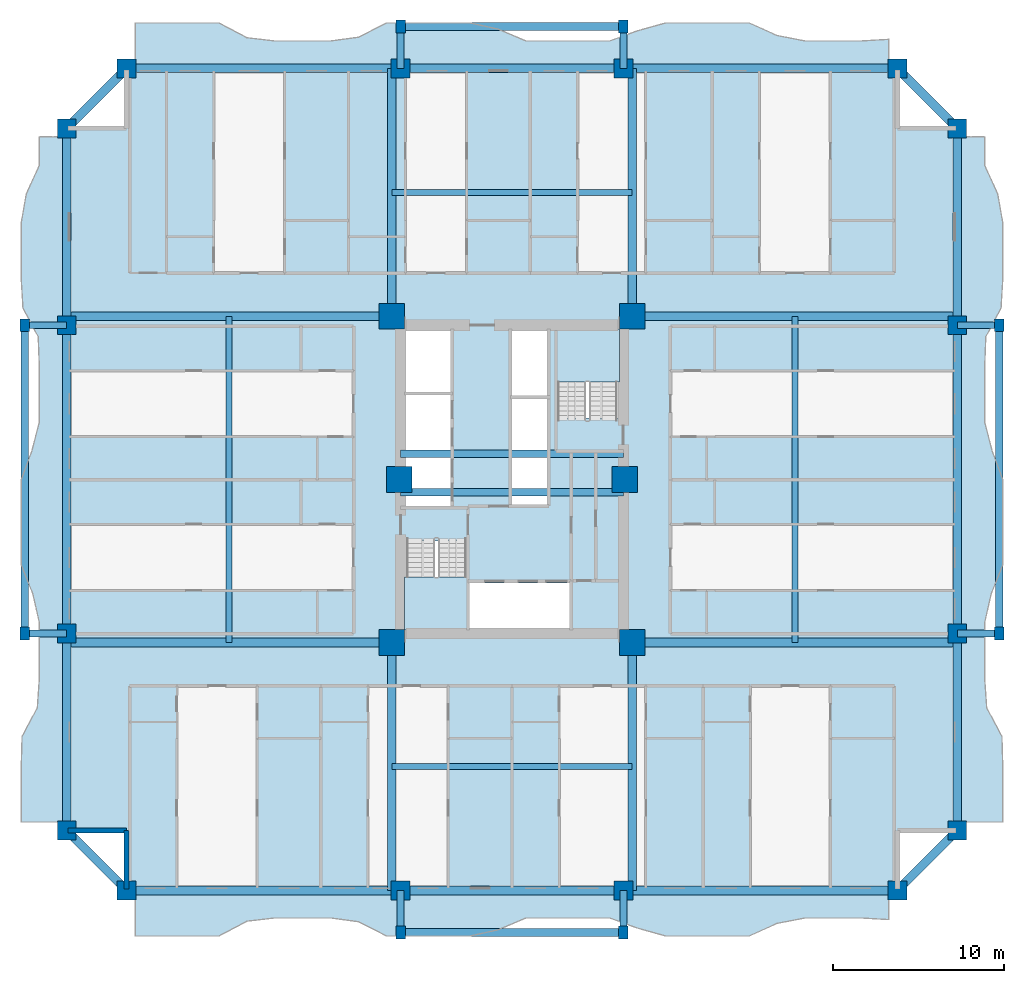
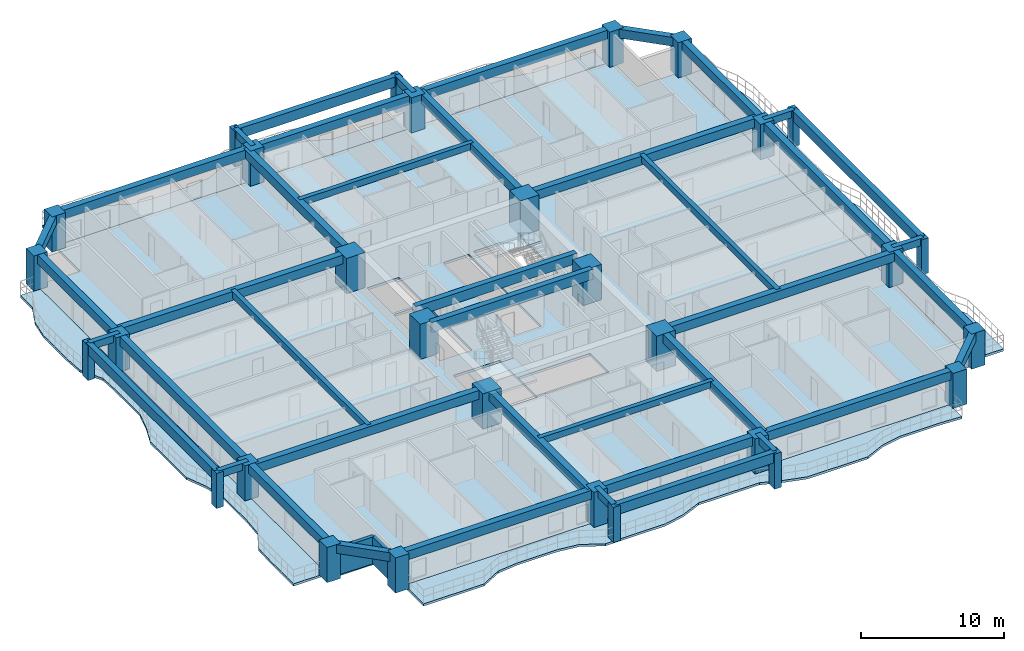
# One storey, part 1 of 15: 42 beams, 30 columns, 7 slabs, 2 walls, 2 elements without a shape of their own.
"""IFC4 building model written with IfcOpenShell, lengths in metres."""

from ifc_helpers import new_model, si_unit, direction, frame, frame_2d, origin, origin_2d, place, context, subcontext, project, spatial, polyline, rectangle, outline, extrude, source, transform, mapped, material, layer, layer_set, material_profile, profile_set, type_object, element, aggregate, save


model = new_model("IFC4")

# Units and contexts
model_context = context("Model", 3, precision=1e-05, world=origin(), true_north=direction((0.0, 1.0)))
body_context = subcontext(model_context, "Body", "Model", "MODEL_VIEW")
ifc_project = project(units=[si_unit("LENGTHUNIT", "METRE"), si_unit("AREAUNIT", "SQUARE_METRE"), si_unit("VOLUMEUNIT", "CUBIC_METRE"), si_unit("PLANEANGLEUNIT", "RADIAN"), si_unit("MASSUNIT", "GRAM", prefix="KILO")], contexts=[model_context])

# Site, building, storey
site_placement = place(None, origin())
site = spatial("IfcSite", under=ifc_project, at=site_placement, CompositionType="ELEMENT")
building_placement = place(site_placement, origin())
building = spatial("IfcBuilding", under=site, at=building_placement, Name="Saelheon Loggia Tower", CompositionType="ELEMENT")
storey_placement = place(building_placement, frame((0.0, 0.0, 67.39990234375)))
storey = spatial("IfcBuildingStorey", under=building, at=storey_placement, Name="L21", CompositionType="ELEMENT", Elevation=67.39990234375)

# Columns
ifc_material_1 = material(Name="Concrete C60/75", Category="concrete")
ifc_material_profile_1 = material_profile(ifc_material_1, rectangle(XDim=1.5, YDim=1.5, at=origin_2d()), Name="RC-1500x1500")
ifc_profile_set_1 = profile_set([ifc_material_profile_1], Name="Concrete C60/75")
column_type_1 = type_object("IfcColumnType", Name="Col_Core_RC1500", PredefinedType="COLUMN", material=ifc_profile_set_1)
shared_shape_1 = source(origin(), body_context, "Body", "SweptSolid", [
    extrude(rectangle(XDim=1.5, YDim=1.5, at=origin_2d()), origin(), (0.0, 0.0, 1.0), 3.0),
])
for number, where, z_axis, x_axis, name in (
    (1, (30.97998046875, 17.47998046875, 0.0), (0.0, 0.0, 1.0), (1.0, 0.0, 0.0), "L21 Core Column CR-SW"),
    (2, (45.02001953125, 17.47998046875, 0.0), (0.0, 0.0, 1.0), (1.0, 0.0, 0.0), "L21 Core Column CR-SE"),
    (3, (30.97998046875, 36.52001953125, 0.0), (0.0, 0.0, 1.0), (1.0, 0.0, 0.0), "L21 Core Column CR-NW"),
    (4, (45.02001953125, 36.52001953125, 0.0), (0.0, 0.0, 1.0), (1.0, 0.0, 0.0), "L21 Core Column CR-NE"),
    (5, (31.419921875, 27.0, 0.0), (0.0, 0.0, 1.0), (1.0, 0.0, 0.0), "L21 Core Column CR-MW"),
    (6, (44.580078125, 27.0, 0.0), (0.0, 0.0, 1.0), (1.0, 0.0, 0.0), "L21 Core Column CR-ME"),
):
    element("IfcColumn", number, at=place(storey_placement, frame(where, z_axis=z_axis, x_axis=x_axis)), inside=storey, type_object=column_type_1, Name=name, PredefinedType="COLUMN", context=body_context, shape_type="MappedRepresentation", body=[
        mapped(shared_shape_1, transform((0.0, 0.0, 0.0), scale=1.0)),
    ])
ifc_material_2 = material(Name="Concrete C50/60", Category="concrete")
ifc_material_profile_2 = material_profile(ifc_material_2, rectangle(XDim=1.10009765625, YDim=1.10009765625, at=origin_2d()), Name="RC-1100x1100")
ifc_profile_set_2 = profile_set([ifc_material_profile_2], Name="Concrete C50/60")
column_type_2 = type_object("IfcColumnType", Name="Col_PerimExt_RC1100", PredefinedType="COLUMN", material=ifc_profile_set_2)
shared_shape_2 = source(origin(), body_context, "Body", "SweptSolid", [
    extrude(rectangle(XDim=1.10009765625, YDim=1.10009765625, at=origin_2d()), origin(), (0.0, 0.0, 1.0), 3.0),
])
for number, where, z_axis, x_axis, name in (
    (7, (15.5, 3.0, 0.0), (0.0, 0.0, 1.0), (1.0, 0.0, 0.0), "L21 Perimeter Column TP-S1"),
    (8, (31.5, 3.0, 0.0), (0.0, 0.0, 1.0), (1.0, 0.0, 0.0), "L21 Perimeter Column TP-SA"),
    (9, (44.5, 3.0, 0.0), (0.0, 0.0, 1.0), (1.0, 0.0, 0.0), "L21 Perimeter Column TP-SB"),
    (10, (60.5, 3.0, 0.0), (0.0, 0.0, 1.0), (1.0, 0.0, 0.0), "L21 Perimeter Column TP-S2"),
    (11, (64.0, 6.5, 0.0), (0.0, 0.0, 1.0), (1.0, 0.0, 0.0), "L21 Perimeter Column TP-E1"),
    (12, (64.0, 18.0, 0.0), (0.0, 0.0, 1.0), (1.0, 0.0, 0.0), "L21 Perimeter Column TP-EA"),
    (13, (64.0, 36.0, 0.0), (0.0, 0.0, 1.0), (1.0, 0.0, 0.0), "L21 Perimeter Column TP-EB"),
    (14, (64.0, 47.5, 0.0), (0.0, 0.0, 1.0), (1.0, 0.0, 0.0), "L21 Perimeter Column TP-E2"),
    (15, (60.5, 51.0, 0.0), (0.0, 0.0, 1.0), (1.0, 0.0, 0.0), "L21 Perimeter Column TP-N2"),
    (16, (44.5, 51.0, 0.0), (0.0, 0.0, 1.0), (1.0, 0.0, 0.0), "L21 Perimeter Column TP-NB"),
    (17, (31.5, 51.0, 0.0), (0.0, 0.0, 1.0), (1.0, 0.0, 0.0), "L21 Perimeter Column TP-NA"),
    (18, (15.5, 51.0, 0.0), (0.0, 0.0, 1.0), (1.0, 0.0, 0.0), "L21 Perimeter Column TP-N1"),
    (19, (12.0, 47.5, 0.0), (0.0, 0.0, 1.0), (1.0, 0.0, 0.0), "L21 Perimeter Column TP-W2"),
    (20, (12.0, 36.0, 0.0), (0.0, 0.0, 1.0), (1.0, 0.0, 0.0), "L21 Perimeter Column TP-WB"),
    (21, (12.0, 18.0, 0.0), (0.0, 0.0, 1.0), (1.0, 0.0, 0.0), "L21 Perimeter Column TP-WA"),
    (22, (12.0, 6.5, 0.0), (0.0, 0.0, 1.0), (1.0, 0.0, 0.0), "L21 Perimeter Column TP-W1"),
):
    element("IfcColumn", number, at=place(storey_placement, frame(where, z_axis=z_axis, x_axis=x_axis)), inside=storey, type_object=column_type_2, Name=name, PredefinedType="COLUMN", context=body_context, shape_type="MappedRepresentation", body=[
        mapped(shared_shape_2, transform((0.0, 0.0, 0.0), scale=1.0)),
    ])
ifc_material_3 = material(Name="Precast Concrete C45/55", Category="concrete")
ifc_material_profile_3 = material_profile(ifc_material_3, rectangle(XDim=0.550048828125, YDim=0.75, at=origin_2d()), Name="RC-550x750")
ifc_profile_set_3 = profile_set([ifc_material_profile_3], Name="Precast Concrete C45/55")
column_type_3 = type_object("IfcColumnType", Name="Col_Loggia_Pilaster_750", PredefinedType="PILASTER", material=ifc_profile_set_3)
shared_shape_3 = source(origin(), body_context, "Body", "SweptSolid", [
    extrude(rectangle(XDim=0.550048828125, YDim=0.75, at=origin_2d()), origin(), (0.0, 0.0, 1.0), 3.0),
])
for number, where, z_axis, x_axis, name in (
    (23, (31.5, 0.550048828125, 0.0), (0.0, 0.0, 1.0), (1.0, 0.0, 0.0), "L21 Loggia Frame Pilaster LP-S1"),
    (24, (44.5, 0.550048828125, 0.0), (0.0, 0.0, 1.0), (1.0, 0.0, 0.0), "L21 Loggia Frame Pilaster LP-S2"),
    (25, (31.5, 53.449951171875, 0.0), (0.0, 0.0, 1.0), (1.0, 0.0, 0.0), "L21 Loggia Frame Pilaster LP-N1"),
    (26, (44.5, 53.449951171875, 0.0), (0.0, 0.0, 1.0), (1.0, 0.0, 0.0), "L21 Loggia Frame Pilaster LP-N2"),
    (27, (66.449951171875, 18.0, 0.0), (0.0, 0.0, 1.0), (1.0, 0.0, 0.0), "L21 Loggia Frame Pilaster LP-E1"),
    (28, (66.449951171875, 36.0, 0.0), (0.0, 0.0, 1.0), (1.0, 0.0, 0.0), "L21 Loggia Frame Pilaster LP-E2"),
    (29, (9.550048828125, 18.0, 0.0), (0.0, 0.0, 1.0), (1.0, 0.0, 0.0), "L21 Loggia Frame Pilaster LP-W1"),
    (30, (9.550048828125, 36.0, 0.0), (0.0, 0.0, 1.0), (1.0, 0.0, 0.0), "L21 Loggia Frame Pilaster LP-W2"),
):
    element("IfcColumn", number, at=place(storey_placement, frame(where, z_axis=z_axis, x_axis=x_axis)), inside=storey, type_object=column_type_3, Name=name, PredefinedType="PILASTER", context=body_context, shape_type="MappedRepresentation", body=[
        mapped(shared_shape_3, transform((0.0, 0.0, 0.0), scale=1.0)),
    ])

# Beams
ifc_material_profile_4 = material_profile(ifc_material_2, rectangle(XDim=0.449951171875, YDim=0.85009765625, at=origin_2d()), Name="RC-450x850")
ifc_profile_set_4 = profile_set([ifc_material_profile_4], Name="Concrete C50/60")
beam_type_1 = type_object("IfcBeamType", Name="Beam_CoreLintel_RC450x850", PredefinedType="LINTEL", material=ifc_profile_set_4)
shared_shape_4 = source(origin(), body_context, "Body", "SweptSolid", [
    extrude(rectangle(XDim=0.449951171875, YDim=0.85009765625, at=origin_2d()), origin(), (0.0, 0.0, 1.0), 13.0),
])
for number, where, z_axis, x_axis, name in (
    (31, (31.5, 26.25, 2.5751953125), (1.0, 0.0, 0.0), (0.0, 1.0, 0.0), "L21 Core Coupling Lintel 1"),
    (32, (31.5, 28.5, 2.5751953125), (1.0, 0.0, 0.0), (0.0, 1.0, 0.0), "L21 Core Coupling Lintel 2"),
):
    element("IfcBeam", number, at=place(storey_placement, frame(where, z_axis=z_axis, x_axis=x_axis)), inside=storey, type_object=beam_type_1, Name=name, PredefinedType="LINTEL", context=body_context, shape_type="MappedRepresentation", body=[
        mapped(shared_shape_4, transform((0.0, 0.0, 0.0), scale=1.0)),
    ])
ifc_material_profile_5 = material_profile(ifc_material_3, rectangle(XDim=0.449951171875, YDim=0.85009765625, at=origin_2d()), Name="RC-450x850")
ifc_profile_set_5 = profile_set([ifc_material_profile_5], Name="Precast Concrete C45/55")
beam_type_2 = type_object("IfcBeamType", Name="Beam_LoggiaSpandrel_RC450x850", PredefinedType="SPANDREL", material=ifc_profile_set_5)
for number, where, z_axis, x_axis, name in (
    (33, (31.5, 0.550048828125, 2.5751953125), (1.0, 0.0, 0.0), (0.0, 1.0, 0.0), "L21 Loggia Spandrel Beam S"),
    (34, (31.5, 53.449951171875, 2.5751953125), (1.0, 0.0, 0.0), (0.0, 1.0, 0.0), "L21 Loggia Spandrel Beam N"),
):
    element("IfcBeam", number, at=place(storey_placement, frame(where, z_axis=z_axis, x_axis=x_axis)), inside=storey, type_object=beam_type_2, Name=name, PredefinedType="SPANDREL", context=body_context, shape_type="MappedRepresentation", body=[
        mapped(shared_shape_4, transform((0.0, 0.0, 0.0), scale=1.0)),
    ])
ifc_material_4 = material(Name="Concrete C45/55", Category="concrete")
ifc_material_profile_6 = material_profile(ifc_material_4, rectangle(XDim=0.5, YDim=0.75, at=origin_2d()), Name="RC-500x750")
ifc_profile_set_6 = profile_set([ifc_material_profile_6], Name="Concrete C45/55")
beam_type_3 = type_object("IfcBeamType", Name="Beam_FloorGirder_RC500x750", PredefinedType="BEAM", material=ifc_profile_set_6)
shared_shape_5 = source(origin(), body_context, "Body", "SweptSolid", [
    extrude(rectangle(XDim=0.5, YDim=0.75, at=origin_2d()), origin(), (0.0, 0.0, 1.0), 14.47998046875),
])
for number, where, z_axis, x_axis, name in (
    (35, (30.97998046875, 17.47998046875, 2.625), (0.0, -1.0, 0.0), (1.0, 0.0, 0.0), "L21 Radial Floor Girder RAD-SW-S"),
    (36, (45.02001953125, 17.47998046875, 2.625), (0.0, -1.0, 0.0), (1.0, 0.0, 0.0), "L21 Radial Floor Girder RAD-SE-S"),
    (37, (30.97998046875, 36.52001953125, 2.625), (0.0, 1.0, 0.0), (-1.0, 0.0, 0.0), "L21 Radial Floor Girder RAD-NW-N"),
    (38, (45.02001953125, 36.52001953125, 2.625), (0.0, 1.0, 0.0), (-1.0, 0.0, 0.0), "L21 Radial Floor Girder RAD-NE-N"),
):
    element("IfcBeam", number, at=place(storey_placement, frame(where, z_axis=z_axis, x_axis=x_axis)), inside=storey, type_object=beam_type_3, Name=name, PredefinedType="BEAM", context=body_context, shape_type="MappedRepresentation", body=[
        mapped(shared_shape_5, transform((0.0, 0.0, 0.0), scale=1.0)),
    ])
ifc_material_profile_7 = material_profile(ifc_material_4, rectangle(XDim=0.5, YDim=0.75, at=origin_2d()), Name="RC-500x750")
ifc_profile_set_7 = profile_set([ifc_material_profile_7], Name="Concrete C45/55")
beam_type_4 = type_object("IfcBeamType", Name="Beam_PerimGirder_RC500x750", PredefinedType="BEAM", material=ifc_profile_set_7)
shared_shape_6 = source(origin(), body_context, "Body", "SweptSolid", [
    extrude(rectangle(XDim=0.5, YDim=0.75, at=origin_2d()), origin(), (0.0, 0.0, 1.0), 16.0),
])
for number, where, z_axis, x_axis, name in (
    (39, (15.5, 3.0, 2.625), (1.0, 0.0, 0.0), (0.0, 1.0, 0.0), "L21 Perimeter Frame Girder 01"),
    (40, (44.5, 3.0, 2.625), (1.0, 0.0, 0.0), (0.0, 1.0, 0.0), "L21 Perimeter Frame Girder 03"),
    (41, (60.5, 51.0, 2.625), (-1.0, 0.0, 0.0), (0.0, -1.0, 0.0), "L21 Perimeter Frame Girder 09"),
    (42, (31.5, 51.0, 2.625), (-1.0, 0.0, 0.0), (0.0, -1.0, 0.0), "L21 Perimeter Frame Girder 11"),
):
    element("IfcBeam", number, at=place(storey_placement, frame(where, z_axis=z_axis, x_axis=x_axis)), inside=storey, type_object=beam_type_4, Name=name, PredefinedType="BEAM", context=body_context, shape_type="MappedRepresentation", body=[
        mapped(shared_shape_6, transform((0.0, 0.0, 0.0), scale=1.0)),
    ])
shared_shape_7 = source(origin(), body_context, "Body", "SweptSolid", [
    extrude(rectangle(XDim=0.5, YDim=0.75, at=origin_2d()), origin(), (0.0, 0.0, 1.0), 13.0),
])
for number, where, z_axis, x_axis, name in (
    (43, (31.5, 3.0, 2.625), (1.0, 0.0, 0.0), (0.0, 1.0, 0.0), "L21 Perimeter Frame Girder 02"),
    (44, (44.5, 51.0, 2.625), (-1.0, 0.0, 0.0), (0.0, -1.0, 0.0), "L21 Perimeter Frame Girder 10"),
):
    element("IfcBeam", number, at=place(storey_placement, frame(where, z_axis=z_axis, x_axis=x_axis)), inside=storey, type_object=beam_type_4, Name=name, PredefinedType="BEAM", context=body_context, shape_type="MappedRepresentation", body=[
        mapped(shared_shape_7, transform((0.0, 0.0, 0.0), scale=1.0)),
    ])
shared_shape_8 = source(origin(), body_context, "Body", "SweptSolid", [
    extrude(rectangle(XDim=0.5, YDim=0.75, at=origin_2d()), origin(), (0.0, 0.0, 1.0), 4.94970703125),
])
for number, where, z_axis, x_axis, name in (
    (45, (60.5, 3.0, 2.625), (0.707106781187, 0.707106781187, 0.0), (-0.707106781187, 0.707106781187, 0.0), "L21 Perimeter Frame Girder 04"),
    (46, (64.0, 47.5, 2.625), (-0.707106781187, 0.707106781187, 0.0), (-0.707106781187, -0.707106781187, 0.0), "L21 Perimeter Frame Girder 08"),
    (47, (15.5, 51.0, 2.625), (-0.707106781187, -0.707106781187, 0.0), (0.707106781187, -0.707106781187, 0.0), "L21 Perimeter Frame Girder 12"),
    (48, (12.0, 6.5, 2.625), (0.707106781187, -0.707106781187, 0.0), (0.707106781187, 0.707106781187, 0.0), "L21 Perimeter Frame Girder 16"),
):
    element("IfcBeam", number, at=place(storey_placement, frame(where, z_axis=z_axis, x_axis=x_axis)), inside=storey, type_object=beam_type_4, Name=name, PredefinedType="BEAM", context=body_context, shape_type="MappedRepresentation", body=[
        mapped(shared_shape_8, transform((0.0, 0.0, 0.0), scale=1.0)),
    ])
shared_shape_9 = source(origin(), body_context, "Body", "SweptSolid", [
    extrude(rectangle(XDim=0.5, YDim=0.75, at=origin_2d()), origin(), (0.0, 0.0, 1.0), 11.5),
])
for number, where, z_axis, x_axis, name in (
    (49, (64.0, 6.5, 2.625), (0.0, 1.0, 0.0), (-1.0, 0.0, 0.0), "L21 Perimeter Frame Girder 05"),
    (50, (64.0, 36.0, 2.625), (0.0, 1.0, 0.0), (-1.0, 0.0, 0.0), "L21 Perimeter Frame Girder 07"),
    (51, (12.0, 47.5, 2.625), (0.0, -1.0, 0.0), (1.0, 0.0, 0.0), "L21 Perimeter Frame Girder 13"),
    (52, (12.0, 18.0, 2.625), (0.0, -1.0, 0.0), (1.0, 0.0, 0.0), "L21 Perimeter Frame Girder 15"),
):
    element("IfcBeam", number, at=place(storey_placement, frame(where, z_axis=z_axis, x_axis=x_axis)), inside=storey, type_object=beam_type_4, Name=name, PredefinedType="BEAM", context=body_context, shape_type="MappedRepresentation", body=[
        mapped(shared_shape_9, transform((0.0, 0.0, 0.0), scale=1.0)),
    ])
shared_shape_10 = source(origin(), body_context, "Body", "SweptSolid", [
    extrude(rectangle(XDim=0.5, YDim=0.75, at=origin_2d()), origin(), (0.0, 0.0, 1.0), 18.0),
])
for number, where, z_axis, x_axis, name in (
    (53, (64.0, 18.0, 2.625), (0.0, 1.0, 0.0), (-1.0, 0.0, 0.0), "L21 Perimeter Frame Girder 06"),
    (54, (12.0, 36.0, 2.625), (0.0, -1.0, 0.0), (1.0, 0.0, 0.0), "L21 Perimeter Frame Girder 14"),
):
    element("IfcBeam", number, at=place(storey_placement, frame(where, z_axis=z_axis, x_axis=x_axis)), inside=storey, type_object=beam_type_4, Name=name, PredefinedType="BEAM", context=body_context, shape_type="MappedRepresentation", body=[
        mapped(shared_shape_10, transform((0.0, 0.0, 0.0), scale=1.0)),
    ])
shared_shape_11 = source(origin(), body_context, "Body", "SweptSolid", [
    extrude(rectangle(XDim=0.5, YDim=0.75, at=origin_2d()), origin(), (0.0, 0.0, 1.0), 18.97998046875),
])
for number, where, z_axis, x_axis, name in (
    (55, (30.97998046875, 17.47998046875, 2.625), (-1.0, 0.0, 0.0), (0.0, -1.0, 0.0), "L21 Radial Floor Girder RAD-SW-W"),
    (56, (30.97998046875, 36.52001953125, 2.625), (-1.0, 0.0, 0.0), (0.0, -1.0, 0.0), "L21 Radial Floor Girder RAD-NW-W"),
    (57, (45.02001953125, 17.47998046875, 2.625), (1.0, 0.0, 0.0), (0.0, 1.0, 0.0), "L21 Radial Floor Girder RAD-SE-E"),
    (58, (45.02001953125, 36.52001953125, 2.625), (1.0, 0.0, 0.0), (0.0, 1.0, 0.0), "L21 Radial Floor Girder RAD-NE-E"),
):
    element("IfcBeam", number, at=place(storey_placement, frame(where, z_axis=z_axis, x_axis=x_axis)), inside=storey, type_object=beam_type_3, Name=name, PredefinedType="BEAM", context=body_context, shape_type="MappedRepresentation", body=[
        mapped(shared_shape_11, transform((0.0, 0.0, 0.0), scale=1.0)),
    ])
ifc_material_5 = material(Name="Concrete C40/50", Category="concrete")
ifc_material_profile_8 = material_profile(ifc_material_5, rectangle(XDim=0.35009765625, YDim=0.550048828125, at=origin_2d()), Name="RC-350x550")
ifc_profile_set_8 = profile_set([ifc_material_profile_8], Name="Concrete C40/50")
beam_type_5 = type_object("IfcBeamType", Name="Beam_Joist_RC350x550", PredefinedType="JOIST", material=ifc_profile_set_8)
shared_shape_12 = source(origin(), body_context, "Body", "SweptSolid", [
    extrude(rectangle(XDim=0.35009765625, YDim=0.550048828125, at=origin_2d()), origin(), (0.0, 0.0, 1.0), 14.0400390625),
])
for number, where, z_axis, x_axis, name in (
    (59, (30.97998046875, 10.239990234375, 2.72509765625), (1.0, 0.0, 0.0), (0.0, 1.0, 0.0), "L21 South Floor Joist"),
    (60, (30.97998046875, 43.760009765625, 2.72509765625), (1.0, 0.0, 0.0), (0.0, 1.0, 0.0), "L21 North Floor Joist"),
):
    element("IfcBeam", number, at=place(storey_placement, frame(where, z_axis=z_axis, x_axis=x_axis)), inside=storey, type_object=beam_type_5, Name=name, PredefinedType="JOIST", context=body_context, shape_type="MappedRepresentation", body=[
        mapped(shared_shape_12, transform((0.0, 0.0, 0.0), scale=1.0)),
    ])
shared_shape_13 = source(origin(), body_context, "Body", "SweptSolid", [
    extrude(rectangle(XDim=0.35009765625, YDim=0.550048828125, at=origin_2d()), origin(), (0.0, 0.0, 1.0), 19.0400390625),
])
for number, where, z_axis, x_axis, name in (
    (61, (21.489990234375, 17.47998046875, 2.72509765625), (0.0, 1.0, 0.0), (-1.0, 0.0, 0.0), "L21 West Floor Joist"),
    (62, (54.510009765625, 17.47998046875, 2.72509765625), (0.0, 1.0, 0.0), (-1.0, 0.0, 0.0), "L21 East Floor Joist"),
):
    element("IfcBeam", number, at=place(storey_placement, frame(where, z_axis=z_axis, x_axis=x_axis)), inside=storey, type_object=beam_type_5, Name=name, PredefinedType="JOIST", context=body_context, shape_type="MappedRepresentation", body=[
        mapped(shared_shape_13, transform((0.0, 0.0, 0.0), scale=1.0)),
    ])
ifc_material_profile_9 = material_profile(ifc_material_3, rectangle(XDim=0.39990234375, YDim=0.60009765625, at=origin_2d()), Name="RC-400x600")
ifc_profile_set_9 = profile_set([ifc_material_profile_9], Name="Precast Concrete C45/55")
beam_type_6 = type_object("IfcBeamType", Name="Beam_LoggiaTie_RC400x600", PredefinedType="BEAM", material=ifc_profile_set_9)
shared_shape_14 = source(origin(), body_context, "Body", "SweptSolid", [
    extrude(rectangle(XDim=0.39990234375, YDim=0.60009765625, at=origin_2d()), origin(), (0.0, 0.0, 1.0), 2.449951171875),
])
for number, where, z_axis, x_axis, name in (
    (63, (31.5, 3.0, 2.7001953125), (0.0, -1.0, 0.0), (1.0, 0.0, 0.0), "L21 Loggia Frame Tie Beam LP-S1"),
    (64, (44.5, 3.0, 2.7001953125), (0.0, -1.0, 0.0), (1.0, 0.0, 0.0), "L21 Loggia Frame Tie Beam LP-S2"),
    (65, (31.5, 51.0, 2.7001953125), (0.0, 1.0, 0.0), (-1.0, 0.0, 0.0), "L21 Loggia Frame Tie Beam LP-N1"),
    (66, (44.5, 51.0, 2.7001953125), (0.0, 1.0, 0.0), (-1.0, 0.0, 0.0), "L21 Loggia Frame Tie Beam LP-N2"),
    (67, (64.0, 18.0, 2.7001953125), (1.0, 0.0, 0.0), (0.0, 1.0, 0.0), "L21 Loggia Frame Tie Beam LP-E1"),
    (68, (64.0, 36.0, 2.7001953125), (1.0, 0.0, 0.0), (0.0, 1.0, 0.0), "L21 Loggia Frame Tie Beam LP-E2"),
    (69, (12.0, 18.0, 2.7001953125), (-1.0, 0.0, 0.0), (0.0, -1.0, 0.0), "L21 Loggia Frame Tie Beam LP-W1"),
    (70, (12.0, 36.0, 2.7001953125), (-1.0, 0.0, 0.0), (0.0, -1.0, 0.0), "L21 Loggia Frame Tie Beam LP-W2"),
):
    element("IfcBeam", number, at=place(storey_placement, frame(where, z_axis=z_axis, x_axis=x_axis)), inside=storey, type_object=beam_type_6, Name=name, PredefinedType="BEAM", context=body_context, shape_type="MappedRepresentation", body=[
        mapped(shared_shape_14, transform((0.0, 0.0, 0.0), scale=1.0)),
    ])
shared_shape_15 = source(origin(), body_context, "Body", "SweptSolid", [
    extrude(rectangle(XDim=0.449951171875, YDim=0.85009765625, at=origin_2d()), origin(), (0.0, 0.0, 1.0), 18.0),
])
for number, where, z_axis, x_axis, name in (
    (71, (66.449951171875, 18.0, 2.5751953125), (0.0, 1.0, 0.0), (-1.0, 0.0, 0.0), "L21 Loggia Spandrel Beam E"),
    (72, (9.550048828125, 18.0, 2.5751953125), (0.0, 1.0, 0.0), (-1.0, 0.0, 0.0), "L21 Loggia Spandrel Beam W"),
):
    element("IfcBeam", number, at=place(storey_placement, frame(where, z_axis=z_axis, x_axis=x_axis)), inside=storey, type_object=beam_type_2, Name=name, PredefinedType="SPANDREL", context=body_context, shape_type="MappedRepresentation", body=[
        mapped(shared_shape_15, transform((0.0, 0.0, 0.0), scale=1.0)),
    ])

# Slabs
ifc_layer_1 = layer(ifc_material_3, 0.18994140625)
ifc_layer_set_1 = layer_set([ifc_layer_1], Name="Precast Concrete C45/55")
slab_type_1 = type_object("IfcSlabType", Name="Slab_Loggia_Ext_190", PredefinedType="FLOOR", material=ifc_layer_set_1)
slab_1_placement = place(storey_placement, frame((0.0, 0.0, -0.18994140625)))
element("IfcSlab", 73, at=slab_1_placement, inside=storey, type_object=slab_type_1, Name="L21 Loggia Balcony Slab S", PredefinedType="FLOOR", context=body_context, shape_type="SweptSolid", body=[
    extrude(outline(polyline([(16.0, 0.35009765625), (17.629638671875, 0.35009765625), (19.25927734375, 0.35009765625), (20.888916015625, 0.35009765625), (22.5185546875, 1.208984375), (24.148193359375, 1.39990234375), (25.77783203125, 1.39990234375), (27.407470703125, 1.39990234375), (29.037109375, 1.179931640625), (30.666748046875, 0.35009765625), (32.29638671875, 0.35009765625), (33.92578125, 0.35009765625), (35.5556640625, 0.35009765625), (37.185302734375, 0.706298828125), (38.814697265625, 1.39990234375), (40.4443359375, 1.39990234375), (42.07421875, 1.39990234375), (43.70361328125, 1.39990234375), (45.333251953125, 0.8046875), (46.962890625, 0.35009765625), (48.592529296875, 0.35009765625), (50.22216796875, 0.35009765625), (51.851806640625, 0.35009765625), (53.4814453125, 1.08349609375), (55.111083984375, 1.39990234375), (56.74072265625, 1.39990234375), (58.370361328125, 1.39990234375), (60.0, 1.30322265625), (60.0, 3.0), (16.0, 3.0), (16.0, 0.35009765625)])), origin(), (0.0, 0.0, 1.0), 0.18994140625),
])
slab_2_placement = place(storey_placement, frame((0.0, 0.0, -0.18994140625)))
element("IfcSlab", 74, at=slab_2_placement, inside=storey, type_object=slab_type_1, Name="L21 Loggia Balcony Slab N", PredefinedType="FLOOR", context=body_context, shape_type="SweptSolid", body=[
    extrude(outline(polyline([(16.0, 51.0), (60.0, 51.0), (60.0, 52.69677734375), (58.370361328125, 52.60009765625), (56.74072265625, 52.60009765625), (55.111083984375, 52.60009765625), (53.4814453125, 52.91650390625), (51.851806640625, 53.64990234375), (50.22216796875, 53.64990234375), (48.592529296875, 53.64990234375), (46.962890625, 53.64990234375), (45.333251953125, 53.1953125), (43.70361328125, 52.60009765625), (42.07421875, 52.60009765625), (40.4443359375, 52.60009765625), (38.814697265625, 52.60009765625), (37.185302734375, 53.293701171875), (35.5556640625, 53.64990234375), (33.92578125, 53.64990234375), (32.29638671875, 53.64990234375), (30.666748046875, 53.64990234375), (29.037109375, 52.820068359375), (27.407470703125, 52.60009765625), (25.77783203125, 52.60009765625), (24.148193359375, 52.60009765625), (22.5185546875, 52.791015625), (20.888916015625, 53.64990234375), (19.25927734375, 53.64990234375), (17.629638671875, 53.64990234375), (16.0, 53.64990234375), (16.0, 51.0)])), origin(), (0.0, 0.0, 1.0), 0.18994140625),
])
slab_3_placement = place(storey_placement, frame((0.0, 0.0, -0.18994140625)))
element("IfcSlab", 75, at=slab_3_placement, inside=storey, type_object=slab_type_1, Name="L21 Loggia Balcony Slab E", PredefinedType="FLOOR", context=body_context, shape_type="SweptSolid", body=[
    extrude(outline(polyline([(64.0, 7.0), (66.64990234375, 7.0), (66.64990234375, 8.666748046875), (66.64990234375, 10.333251953125), (66.603271484375, 12.0), (65.7138671875, 13.666748046875), (65.60009765625, 15.333251953125), (65.60009765625, 17.0), (65.60009765625, 18.666748046875), (65.978271484375, 20.333251953125), (66.64990234375, 22.0), (66.64990234375, 23.666748046875), (66.64990234375, 25.333251953125), (66.64990234375, 27.0), (66.0322265625, 28.666748046875), (65.60009765625, 30.333251953125), (65.60009765625, 32.0), (65.60009765625, 33.666748046875), (65.662841796875, 35.333251953125), (66.551513671875, 37.0), (66.64990234375, 38.666748046875), (66.64990234375, 40.333251953125), (66.64990234375, 42.0), (66.357666015625, 43.666748046875), (65.60009765625, 45.333251953125), (65.60009765625, 47.0), (64.0, 47.0), (64.0, 7.0)])), origin(), (0.0, 0.0, 1.0), 0.18994140625),
])
slab_4_placement = place(storey_placement, frame((0.0, 0.0, -0.18994140625)))
element("IfcSlab", 76, at=slab_4_placement, inside=storey, type_object=slab_type_1, Name="L21 Loggia Balcony Slab W", PredefinedType="FLOOR", context=body_context, shape_type="SweptSolid", body=[
    extrude(outline(polyline([(12.0, 7.0), (12.0, 47.0), (10.39990234375, 47.0), (10.39990234375, 45.333251953125), (9.642333984375, 43.666748046875), (9.35009765625, 42.0), (9.35009765625, 40.333251953125), (9.35009765625, 38.666748046875), (9.448486328125, 37.0), (10.337158203125, 35.333251953125), (10.39990234375, 33.666748046875), (10.39990234375, 32.0), (10.39990234375, 30.333251953125), (9.9677734375, 28.666748046875), (9.35009765625, 27.0), (9.35009765625, 25.333251953125), (9.35009765625, 23.666748046875), (9.35009765625, 22.0), (10.021728515625, 20.333251953125), (10.39990234375, 18.666748046875), (10.39990234375, 17.0), (10.39990234375, 15.333251953125), (10.2861328125, 13.666748046875), (9.396728515625, 12.0), (9.35009765625, 10.333251953125), (9.35009765625, 8.666748046875), (9.35009765625, 7.0), (12.0, 7.0)])), origin(), (0.0, 0.0, 1.0), 0.18994140625),
])

# Stair, slab
stair_type = type_object("IfcStairType", Name="Stair_Escape_Core", PredefinedType="HALF_TURN_STAIR", material=ifc_material_5)
stair_1_placement = place(storey_placement, origin())
stair_1 = element("IfcStair", 77, at=stair_1_placement, inside=storey, type_object=stair_type, Name="L21 Special Escape Stair ST1", PredefinedType="HALF_TURN_STAIR")
ifc_layer_2 = layer(ifc_material_5, 0.199951171875)
ifc_layer_set_2 = layer_set([ifc_layer_2], Name="Concrete C40/50")
slab_type_2 = type_object("IfcSlabType", Name="Slab_StairLanding_ST1", PredefinedType="LANDING", material=ifc_layer_set_2)
slab_5_placement = place(storey_placement, frame((0.0, 0.0, 1.300048828125)))
slab_5 = element("IfcSlab", 78, at=slab_5_placement, type_object=slab_type_2, Name="ST1 landing 1", PredefinedType="LANDING", context=body_context, shape_type="SweptSolid", body=[
    extrude(outline(polyline([(31.7099609375, 21.31005859375), (31.7099609375, 18.2099609375), (35.469970703125, 18.2099609375), (35.469970703125, 21.31005859375), (31.7099609375, 21.31005859375)])), origin(), (0.0, 0.0, 1.0), 0.199951171875),
])
aggregate(stair_1, [slab_5])

stair_2_placement = place(storey_placement, origin())
stair_2 = element("IfcStair", 79, at=stair_2_placement, inside=storey, type_object=stair_type, Name="L21 Special Escape Stair ST2", PredefinedType="HALF_TURN_STAIR")
ifc_layer_3 = layer(ifc_material_5, 0.199951171875)
ifc_layer_set_3 = layer_set([ifc_layer_3], Name="Concrete C40/50")
slab_type_3 = type_object("IfcSlabType", Name="Slab_StairLanding_ST2", PredefinedType="LANDING", material=ifc_layer_set_3)
slab_6_placement = place(storey_placement, frame((0.0, 0.0, 1.300048828125)))
slab_6 = element("IfcSlab", 80, at=slab_6_placement, type_object=slab_type_3, Name="ST2 landing 1", PredefinedType="LANDING", context=body_context, shape_type="SweptSolid", body=[
    extrude(outline(polyline([(44.2900390625, 32.68994140625), (44.2900390625, 35.7900390625), (40.530029296875, 35.7900390625), (40.530029296875, 32.68994140625), (44.2900390625, 32.68994140625)])), origin(), (0.0, 0.0, 1.0), 0.199951171875),
])
aggregate(stair_2, [slab_6])

# Slab
ifc_layer_4 = layer(ifc_material_5, 0.2099609375)
ifc_layer_set_4 = layer_set([ifc_layer_4], Name="Concrete C40/50")
slab_type_4 = type_object("IfcSlabType", Name="Slab_Tower_210", PredefinedType="FLOOR", material=ifc_layer_set_4)
slab_7_placement = place(storey_placement, frame((0.0, 0.0, -0.2099609375)))
element("IfcSlab", 81, at=slab_7_placement, inside=storey, type_object=slab_type_4, Name="L21 Tower Floor Slab", PredefinedType="FLOOR", context=body_context, shape_type="SweptSolid", body=[
    extrude(outline(polyline([(15.5, 3.0), (60.5, 3.0), (60.5, 6.5), (64.0, 6.5), (64.0, 47.5), (60.5, 47.5), (60.5, 51.0), (15.5, 51.0), (15.5, 47.5), (12.0, 47.5), (12.0, 6.5), (15.5, 6.5), (15.5, 3.0)]), holes=[polyline([(31.699951171875, 23.409912109375), (31.699951171875, 18.199951171875), (35.47998046875, 18.199951171875), (35.47998046875, 23.409912109375), (31.699951171875, 23.409912109375)]), polyline([(44.300048828125, 30.590087890625), (44.300048828125, 35.800048828125), (40.52001953125, 35.800048828125), (40.52001953125, 30.590087890625), (44.300048828125, 30.590087890625)]), polyline([(35.530029296875, 18.324951171875), (41.35009765625, 18.324951171875), (41.35009765625, 20.9599609375), (35.530029296875, 20.9599609375), (35.530029296875, 18.324951171875)]), polyline([(31.824951171875, 32.1201171875), (34.419921875, 32.1201171875), (34.419921875, 35.675048828125), (31.824951171875, 35.675048828125), (31.824951171875, 32.1201171875)]), polyline([(38.0, 31.89990234375), (40.050048828125, 31.89990234375), (40.050048828125, 35.675048828125), (38.0, 35.675048828125), (38.0, 31.89990234375)]), polyline([(31.824951171875, 25.449951171875), (34.419921875, 25.449951171875), (34.419921875, 31.919921875), (31.824951171875, 31.919921875), (31.824951171875, 25.449951171875)]), polyline([(38.0, 25.5400390625), (40.050048828125, 25.5400390625), (40.050048828125, 31.699951171875), (38.0, 31.699951171875), (38.0, 25.5400390625)])]), origin(), (0.0, 0.0, 1.0), 0.2099609375),
])

# Walls
ifc_material_6 = material(Name="Architectural Precast Concrete C40/50", Category="concrete")
ifc_layer_5 = layer(ifc_material_6, 0.280029296875)
ifc_layer_set_5 = layer_set([ifc_layer_5], Name="Architectural Precast Concrete C40/50")
wall_type = type_object("IfcWallType", Name="Wall_Ext_Loggia_280", PredefinedType="SOLIDWALL", material=ifc_layer_set_5)
for number, where, z_axis, x_axis, name in (
    (82, (15.5, 3.080078125, 0.0), (0.0, 0.0, 1.0), (0.0, 1.0, 0.0), "L21 Corner Notch Precast Wall SW1"),
    (83, (12.080078125, 6.5, 0.0), (0.0, 0.0, 1.0), (1.0, 0.0, 0.0), "L21 Corner Notch Precast Wall SW2"),
):
    element("IfcWall", number, at=place(storey_placement, frame(where, z_axis=z_axis, x_axis=x_axis)), inside=storey, type_object=wall_type, Name=name, PredefinedType="SOLIDWALL", context=body_context, shape_type="SweptSolid", body=[
        extrude(rectangle(XDim=3.419921875, YDim=0.280029296875, at=frame_2d((1.7099609375, 0.0))), origin(), (0.0, 0.0, 1.0), 2.280029296875),
    ])

save(model, "model.ifc")
